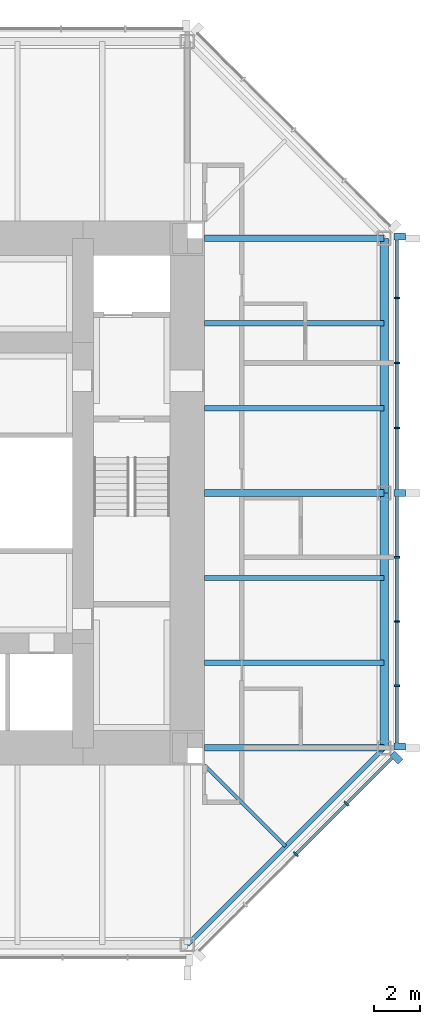
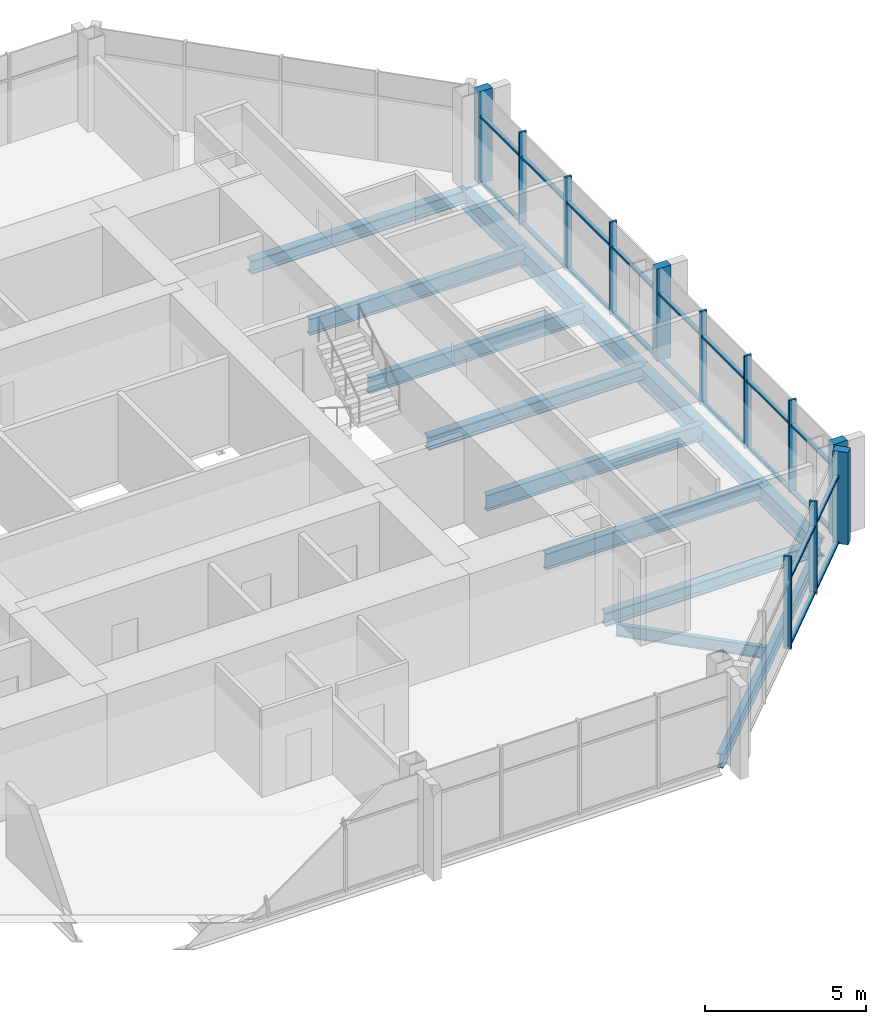
# One storey, part 4 of 11: 32 members, 11 beams, 2 elements without a shape of their own.
"""IFC4 building model written with IfcOpenShell, lengths in metres."""

from ifc_helpers import new_model, si_unit, direction, frame, origin, origin_2d, place, context, subcontext, project, spatial, rectangle, i_section, extrude, material, material_profile, profile_set, type_object, element, aggregate, save


model = new_model("IFC4")

# Units and contexts
model_context = context("Model", 3, precision=1e-05, world=origin(), true_north=direction((0.0, 1.0)))
body_context = subcontext(model_context, "Body", "Model", "MODEL_VIEW")
ifc_project = project(units=[si_unit("LENGTHUNIT", "METRE"), si_unit("AREAUNIT", "SQUARE_METRE"), si_unit("VOLUMEUNIT", "CUBIC_METRE"), si_unit("PLANEANGLEUNIT", "RADIAN"), si_unit("MASSUNIT", "GRAM", prefix="KILO")], contexts=[model_context])

# Site, building, storey
site_placement = place(None, origin())
site = spatial("IfcSite", under=ifc_project, at=site_placement, CompositionType="ELEMENT")
building_placement = place(site_placement, origin())
building = spatial("IfcBuilding", under=site, at=building_placement, Name="Trevanion Tower", CompositionType="ELEMENT")
storey_placement = place(building_placement, frame((0.0, 0.0, 239.699951171875)))
storey = spatial("IfcBuildingStorey", under=building, at=storey_placement, Name="L58", CompositionType="ELEMENT", Elevation=239.699951171875)

# Beams
ifc_material_1 = material(Name="Steel ASTM A992 Grade 50", Category="steel")
ifc_material_profile_1 = material_profile(ifc_material_1, i_section(OverallWidth=0.228271484375, OverallDepth=0.607177734375, WebThickness=0.01123046875, FlangeThickness=0.017333984375, at=origin_2d()), Name="W24X76")
ifc_profile_set_1 = profile_set([ifc_material_profile_1], Name="Steel ASTM A992 Grade 50")
beam_type_1 = type_object("IfcBeamType", Name="B11 W24X76", PredefinedType="BEAM", material=ifc_profile_set_1)
for number, where, z_axis, x_axis, name in (
    (1, (11.75, -7.333251953125, -0.493408203125), (1.0, 0.0, 0.0), (0.0, 1.0, 0.0), "B11 L58"),
    (2, (11.75, -3.666748046875, -0.493408203125), (1.0, 0.0, 0.0), (0.0, 1.0, 0.0), "B11 L58"),
    (3, (11.75, 3.666748046875, -0.493408203125), (1.0, 0.0, 0.0), (0.0, 1.0, 0.0), "B11 L58"),
    (4, (11.75, 7.333251953125, -0.493408203125), (1.0, 0.0, 0.0), (0.0, 1.0, 0.0), "B11 L58"),
):
    element("IfcBeam", number, at=place(storey_placement, frame(where, z_axis=z_axis, x_axis=x_axis)), inside=storey, type_object=beam_type_1, Name=name, PredefinedType="BEAM", context=body_context, shape_type="SweptSolid", body=[
        extrude(i_section(OverallWidth=0.228271484375, OverallDepth=0.607177734375, WebThickness=0.01123046875, FlangeThickness=0.017333984375, at=origin_2d()), origin(), (0.0, 0.0, 1.0), 7.75),
    ])
ifc_material_2 = material(Name="Steel ASTM A992 Grade 50", Category="steel")
ifc_material_profile_2 = material_profile(ifc_material_2, i_section(OverallWidth=0.15234375, OverallDepth=0.449462890625, WebThickness=0.007568359375, FlangeThickness=0.0107421875, at=origin_2d()), Name="W18X35")
ifc_profile_set_2 = profile_set([ifc_material_profile_2], Name="Steel ASTM A992 Grade 50")
beam_type_2 = type_object("IfcBeamType", Name="B12 W18X35", PredefinedType="BEAM", material=ifc_profile_set_2)
beam_1_placement = place(storey_placement, frame((11.75, -11.75, -0.414794921875), z_axis=(0.707106781187, -0.707106781187, 0.0), x_axis=(0.707106781187, 0.707106781187, 0.0)))
element("IfcBeam", 5, at=beam_1_placement, inside=storey, type_object=beam_type_2, Name="B12 L58", PredefinedType="BEAM", context=body_context, shape_type="SweptSolid", body=[
    extrude(i_section(OverallWidth=0.15234375, OverallDepth=0.449462890625, WebThickness=0.007568359375, FlangeThickness=0.0107421875, at=origin_2d()), origin(), (0.0, 0.0, 1.0), 4.94970703125),
])

# Curtain wall, members
ifc_material_3 = material(Name="Aluminium and glass", Category="aluminium")
curtain_wall_type = type_object("IfcCurtainWallType", Name="CW3 curtain wall", PredefinedType="USERDEFINED", material=ifc_material_3)
curtain_wall_1_placement = place(storey_placement, origin())
curtain_wall_1 = element("IfcCurtainWall", 6, at=curtain_wall_1_placement, inside=storey, type_object=curtain_wall_type, Name="CW3 L58 0", ObjectType="UNITISED CURTAIN WALL", PredefinedType="USERDEFINED")
ifc_material_4 = material(Name="Aluminium extrusion, anodised bronze", Category="aluminium")
ifc_material_profile_3 = material_profile(ifc_material_4, rectangle(XDim=0.074951171875, YDim=0.25, at=origin_2d()), Name="CW3 mullion")
ifc_profile_set_3 = profile_set([ifc_material_profile_3], Name="Aluminium extrusion, anodised bronze")
member_type_1 = type_object("IfcMemberType", Name="CW3 mullion", PredefinedType="MULLION", material=ifc_profile_set_3)
member_1_placement = place(storey_placement, frame((20.050048828125, -8.323486328125, -0.18994140625), z_axis=(0.0, 0.0, 1.0), x_axis=(0.0, 1.0, 0.0)))
member_1 = element("IfcMember", 7, at=member_1_placement, type_object=member_type_1, Name="CW3 mullion 2", PredefinedType="MULLION", context=body_context, shape_type="SweptSolid", body=[
    extrude(rectangle(XDim=0.074951171875, YDim=0.25, at=origin_2d()), origin(), (0.0, 0.0, 1.0), 3.5),
])
member_2_placement = place(storey_placement, frame((20.050048828125, -5.548828125, -0.18994140625), z_axis=(0.0, 0.0, 1.0), x_axis=(0.0, 1.0, 0.0)))
member_2 = element("IfcMember", 8, at=member_2_placement, type_object=member_type_1, Name="CW3 mullion 3", PredefinedType="MULLION", context=body_context, shape_type="SweptSolid", body=[
    extrude(rectangle(XDim=0.074951171875, YDim=0.25, at=origin_2d()), origin(), (0.0, 0.0, 1.0), 3.5),
])
member_3_placement = place(storey_placement, frame((20.050048828125, -2.7744140625, -0.18994140625), z_axis=(0.0, 0.0, 1.0), x_axis=(0.0, 1.0, 0.0)))
member_3 = element("IfcMember", 9, at=member_3_placement, type_object=member_type_1, Name="CW3 mullion 4", PredefinedType="MULLION", context=body_context, shape_type="SweptSolid", body=[
    extrude(rectangle(XDim=0.074951171875, YDim=0.25, at=origin_2d()), origin(), (0.0, 0.0, 1.0), 3.5),
])
member_4_placement = place(storey_placement, frame((20.050048828125, 2.806884765625, -0.18994140625), z_axis=(0.0, 0.0, 1.0), x_axis=(0.0, 1.0, 0.0)))
member_4 = element("IfcMember", 10, at=member_4_placement, type_object=member_type_1, Name="CW3 mullion 6", PredefinedType="MULLION", context=body_context, shape_type="SweptSolid", body=[
    extrude(rectangle(XDim=0.074951171875, YDim=0.25, at=origin_2d()), origin(), (0.0, 0.0, 1.0), 3.5),
])
member_5_placement = place(storey_placement, frame((20.050048828125, 5.614013671875, -0.18994140625), z_axis=(0.0, 0.0, 1.0), x_axis=(0.0, 1.0, 0.0)))
member_5 = element("IfcMember", 11, at=member_5_placement, type_object=member_type_1, Name="CW3 mullion 7", PredefinedType="MULLION", context=body_context, shape_type="SweptSolid", body=[
    extrude(rectangle(XDim=0.074951171875, YDim=0.25, at=origin_2d()), origin(), (0.0, 0.0, 1.0), 3.5),
])
member_6_placement = place(storey_placement, frame((20.050048828125, 8.4208984375, -0.18994140625), z_axis=(0.0, 0.0, 1.0), x_axis=(0.0, 1.0, 0.0)))
member_6 = element("IfcMember", 12, at=member_6_placement, type_object=member_type_1, Name="CW3 mullion 8", PredefinedType="MULLION", context=body_context, shape_type="SweptSolid", body=[
    extrude(rectangle(XDim=0.074951171875, YDim=0.25, at=origin_2d()), origin(), (0.0, 0.0, 1.0), 3.5),
])

curtain_wall_2_placement = place(storey_placement, origin())
curtain_wall_2 = element("IfcCurtainWall", 13, at=curtain_wall_2_placement, inside=storey, type_object=curtain_wall_type, Name="CW3 L58 7", ObjectType="UNITISED CURTAIN WALL", PredefinedType="USERDEFINED")
member_7_placement = place(storey_placement, frame((15.684814453125, -15.593017578125, -0.18994140625), z_axis=(0.0, 0.0, 1.0), x_axis=(0.707106781187, 0.707106781187, 0.0)))
member_7 = element("IfcMember", 14, at=member_7_placement, type_object=member_type_1, Name="CW3 mullion 3", PredefinedType="MULLION", context=body_context, shape_type="SweptSolid", body=[
    extrude(rectangle(XDim=0.074951171875, YDim=0.25, at=origin_2d()), origin(), (0.0, 0.0, 1.0), 3.5),
])
member_8_placement = place(storey_placement, frame((17.867431640625, -13.410400390625, -0.18994140625), z_axis=(0.0, 0.0, 1.0), x_axis=(0.707106781187, 0.707106781187, 0.0)))
member_8 = element("IfcMember", 15, at=member_8_placement, type_object=member_type_1, Name="CW3 mullion 4", PredefinedType="MULLION", context=body_context, shape_type="SweptSolid", body=[
    extrude(rectangle(XDim=0.074951171875, YDim=0.25, at=origin_2d()), origin(), (0.0, 0.0, 1.0), 3.5),
])

# Member
ifc_material_5 = material(Name="Aluminium extrusion, anodised bronze", Category="aluminium")
ifc_material_profile_4 = material_profile(ifc_material_5, rectangle(XDim=0.300048828125, YDim=0.5, at=origin_2d()), Name="CW3 pier mullion")
ifc_profile_set_4 = profile_set([ifc_material_profile_4], Name="Aluminium extrusion, anodised bronze")
member_type_2 = type_object("IfcMemberType", Name="CW3 pier mullion", PredefinedType="MULLION", material=ifc_profile_set_4)
member_9_placement = place(storey_placement, frame((20.175048828125, -10.94775390625, -0.18994140625), z_axis=(0.0, 0.0, 1.0), x_axis=(0.0, 1.0, 0.0)))
member_9 = element("IfcMember", 16, at=member_9_placement, type_object=member_type_2, Name="CW3 pier mullion 1", PredefinedType="MULLION", context=body_context, shape_type="SweptSolid", body=[
    extrude(rectangle(XDim=0.300048828125, YDim=0.5, at=origin_2d()), origin(), (0.0, 0.0, 1.0), 3.5),
])

member_10_placement = place(storey_placement, frame((20.175048828125, 0.0, -0.18994140625), z_axis=(0.0, 0.0, 1.0), x_axis=(0.0, 1.0, 0.0)))
member_10 = element("IfcMember", 17, at=member_10_placement, type_object=member_type_2, Name="CW3 pier mullion 5", PredefinedType="MULLION", context=body_context, shape_type="SweptSolid", body=[
    extrude(rectangle(XDim=0.300048828125, YDim=0.5, at=origin_2d()), origin(), (0.0, 0.0, 1.0), 3.5),
])

member_11_placement = place(storey_placement, frame((20.175048828125, 11.077880859375, -0.18994140625), z_axis=(0.0, 0.0, 1.0), x_axis=(0.0, 1.0, 0.0)))
member_11 = element("IfcMember", 18, at=member_11_placement, type_object=member_type_2, Name="CW3 pier mullion 9", PredefinedType="MULLION", context=body_context, shape_type="SweptSolid", body=[
    extrude(rectangle(XDim=0.300048828125, YDim=0.5, at=origin_2d()), origin(), (0.0, 0.0, 1.0), 3.5),
])

member_12_placement = place(storey_placement, frame((20.0322265625, -11.42236328125, -0.18994140625), z_axis=(0.0, 0.0, 1.0), x_axis=(0.707106781187, 0.707106781187, 0.0)))
member_12 = element("IfcMember", 19, at=member_12_placement, type_object=member_type_2, Name="CW3 pier mullion 5", PredefinedType="MULLION", context=body_context, shape_type="SweptSolid", body=[
    extrude(rectangle(XDim=0.300048828125, YDim=0.5, at=origin_2d()), origin(), (0.0, 0.0, 1.0), 3.5),
])

ifc_material_6 = material(Name="Aluminium extrusion, anodised bronze", Category="aluminium")
ifc_material_profile_5 = material_profile(ifc_material_6, rectangle(XDim=0.14990234375, YDim=0.074951171875, at=origin_2d()), Name="CW3 transom")
ifc_profile_set_5 = profile_set([ifc_material_profile_5], Name="Aluminium extrusion, anodised bronze")
member_type_3 = type_object("IfcMemberType", Name="CW3 transom", PredefinedType="USERDEFINED", material=ifc_profile_set_5)
member_13_placement = place(storey_placement, frame((20.050048828125, -10.7978515625, -0.15234375), z_axis=(0.0, 1.0, 0.0), x_axis=(-1.0, 0.0, 0.0)))
member_13 = element("IfcMember", 20, at=member_13_placement, type_object=member_type_3, Name="CW3 transom 1.1", ObjectType="TRANSOM", PredefinedType="USERDEFINED", context=body_context, shape_type="SweptSolid", body=[
    extrude(rectangle(XDim=0.14990234375, YDim=0.074951171875, at=origin_2d()), origin(), (0.0, 0.0, 1.0), 2.43701171875),
])

member_14_placement = place(storey_placement, frame((20.050048828125, -10.7978515625, 2.360107421875), z_axis=(0.0, 1.0, 0.0), x_axis=(-1.0, 0.0, 0.0)))
member_14 = element("IfcMember", 21, at=member_14_placement, type_object=member_type_3, Name="CW3 transom 1.2", ObjectType="TRANSOM", PredefinedType="USERDEFINED", context=body_context, shape_type="SweptSolid", body=[
    extrude(rectangle(XDim=0.14990234375, YDim=0.074951171875, at=origin_2d()), origin(), (0.0, 0.0, 1.0), 2.43701171875),
])

member_15_placement = place(storey_placement, frame((20.050048828125, -8.285888671875, -0.15234375), z_axis=(0.0, 1.0, 0.0), x_axis=(-1.0, 0.0, 0.0)))
member_15 = element("IfcMember", 22, at=member_15_placement, type_object=member_type_3, Name="CW3 transom 2.1", ObjectType="TRANSOM", PredefinedType="USERDEFINED", context=body_context, shape_type="SweptSolid", body=[
    extrude(rectangle(XDim=0.14990234375, YDim=0.074951171875, at=origin_2d()), origin(), (0.0, 0.0, 1.0), 2.699462890625),
])

member_16_placement = place(storey_placement, frame((20.050048828125, -8.285888671875, 2.360107421875), z_axis=(0.0, 1.0, 0.0), x_axis=(-1.0, 0.0, 0.0)))
member_16 = element("IfcMember", 23, at=member_16_placement, type_object=member_type_3, Name="CW3 transom 2.2", ObjectType="TRANSOM", PredefinedType="USERDEFINED", context=body_context, shape_type="SweptSolid", body=[
    extrude(rectangle(XDim=0.14990234375, YDim=0.074951171875, at=origin_2d()), origin(), (0.0, 0.0, 1.0), 2.699462890625),
])

member_17_placement = place(storey_placement, frame((20.050048828125, -5.511474609375, -0.15234375), z_axis=(0.0, 1.0, 0.0), x_axis=(-1.0, 0.0, 0.0)))
member_17 = element("IfcMember", 24, at=member_17_placement, type_object=member_type_3, Name="CW3 transom 3.1", ObjectType="TRANSOM", PredefinedType="USERDEFINED", context=body_context, shape_type="SweptSolid", body=[
    extrude(rectangle(XDim=0.14990234375, YDim=0.074951171875, at=origin_2d()), origin(), (0.0, 0.0, 1.0), 2.699462890625),
])

member_18_placement = place(storey_placement, frame((20.050048828125, -5.511474609375, 2.360107421875), z_axis=(0.0, 1.0, 0.0), x_axis=(-1.0, 0.0, 0.0)))
member_18 = element("IfcMember", 25, at=member_18_placement, type_object=member_type_3, Name="CW3 transom 3.2", ObjectType="TRANSOM", PredefinedType="USERDEFINED", context=body_context, shape_type="SweptSolid", body=[
    extrude(rectangle(XDim=0.14990234375, YDim=0.074951171875, at=origin_2d()), origin(), (0.0, 0.0, 1.0), 2.699462890625),
])

member_19_placement = place(storey_placement, frame((20.050048828125, -2.737060546875, -0.15234375), z_axis=(0.0, 1.0, 0.0), x_axis=(-1.0, 0.0, 0.0)))
member_19 = element("IfcMember", 26, at=member_19_placement, type_object=member_type_3, Name="CW3 transom 4.1", ObjectType="TRANSOM", PredefinedType="USERDEFINED", context=body_context, shape_type="SweptSolid", body=[
    extrude(rectangle(XDim=0.14990234375, YDim=0.074951171875, at=origin_2d()), origin(), (0.0, 0.0, 1.0), 2.587158203125),
])

member_20_placement = place(storey_placement, frame((20.050048828125, -2.737060546875, 2.360107421875), z_axis=(0.0, 1.0, 0.0), x_axis=(-1.0, 0.0, 0.0)))
member_20 = element("IfcMember", 27, at=member_20_placement, type_object=member_type_3, Name="CW3 transom 4.2", ObjectType="TRANSOM", PredefinedType="USERDEFINED", context=body_context, shape_type="SweptSolid", body=[
    extrude(rectangle(XDim=0.14990234375, YDim=0.074951171875, at=origin_2d()), origin(), (0.0, 0.0, 1.0), 2.587158203125),
])

member_21_placement = place(storey_placement, frame((20.050048828125, 0.14990234375, -0.15234375), z_axis=(0.0, 1.0, 0.0), x_axis=(-1.0, 0.0, 0.0)))
member_21 = element("IfcMember", 28, at=member_21_placement, type_object=member_type_3, Name="CW3 transom 5.1", ObjectType="TRANSOM", PredefinedType="USERDEFINED", context=body_context, shape_type="SweptSolid", body=[
    extrude(rectangle(XDim=0.14990234375, YDim=0.074951171875, at=origin_2d()), origin(), (0.0, 0.0, 1.0), 2.619384765625),
])

member_22_placement = place(storey_placement, frame((20.050048828125, 0.14990234375, 2.360107421875), z_axis=(0.0, 1.0, 0.0), x_axis=(-1.0, 0.0, 0.0)))
member_22 = element("IfcMember", 29, at=member_22_placement, type_object=member_type_3, Name="CW3 transom 5.2", ObjectType="TRANSOM", PredefinedType="USERDEFINED", context=body_context, shape_type="SweptSolid", body=[
    extrude(rectangle(XDim=0.14990234375, YDim=0.074951171875, at=origin_2d()), origin(), (0.0, 0.0, 1.0), 2.619384765625),
])

member_23_placement = place(storey_placement, frame((20.050048828125, 2.844482421875, -0.15234375), z_axis=(0.0, 1.0, 0.0), x_axis=(-1.0, 0.0, 0.0)))
member_23 = element("IfcMember", 30, at=member_23_placement, type_object=member_type_3, Name="CW3 transom 6.1", ObjectType="TRANSOM", PredefinedType="USERDEFINED", context=body_context, shape_type="SweptSolid", body=[
    extrude(rectangle(XDim=0.14990234375, YDim=0.074951171875, at=origin_2d()), origin(), (0.0, 0.0, 1.0), 2.73193359375),
])

member_24_placement = place(storey_placement, frame((20.050048828125, 2.844482421875, 2.360107421875), z_axis=(0.0, 1.0, 0.0), x_axis=(-1.0, 0.0, 0.0)))
member_24 = element("IfcMember", 31, at=member_24_placement, type_object=member_type_3, Name="CW3 transom 6.2", ObjectType="TRANSOM", PredefinedType="USERDEFINED", context=body_context, shape_type="SweptSolid", body=[
    extrude(rectangle(XDim=0.14990234375, YDim=0.074951171875, at=origin_2d()), origin(), (0.0, 0.0, 1.0), 2.73193359375),
])

member_25_placement = place(storey_placement, frame((20.050048828125, 5.6513671875, -0.15234375), z_axis=(0.0, 1.0, 0.0), x_axis=(-1.0, 0.0, 0.0)))
member_25 = element("IfcMember", 32, at=member_25_placement, type_object=member_type_3, Name="CW3 transom 7.1", ObjectType="TRANSOM", PredefinedType="USERDEFINED", context=body_context, shape_type="SweptSolid", body=[
    extrude(rectangle(XDim=0.14990234375, YDim=0.074951171875, at=origin_2d()), origin(), (0.0, 0.0, 1.0), 2.73193359375),
])

member_26_placement = place(storey_placement, frame((20.050048828125, 5.6513671875, 2.360107421875), z_axis=(0.0, 1.0, 0.0), x_axis=(-1.0, 0.0, 0.0)))
member_26 = element("IfcMember", 33, at=member_26_placement, type_object=member_type_3, Name="CW3 transom 7.2", ObjectType="TRANSOM", PredefinedType="USERDEFINED", context=body_context, shape_type="SweptSolid", body=[
    extrude(rectangle(XDim=0.14990234375, YDim=0.074951171875, at=origin_2d()), origin(), (0.0, 0.0, 1.0), 2.73193359375),
])

member_27_placement = place(storey_placement, frame((20.050048828125, 8.45849609375, -0.15234375), z_axis=(0.0, 1.0, 0.0), x_axis=(-1.0, 0.0, 0.0)))
member_27 = element("IfcMember", 34, at=member_27_placement, type_object=member_type_3, Name="CW3 transom 8.1", ObjectType="TRANSOM", PredefinedType="USERDEFINED", context=body_context, shape_type="SweptSolid", body=[
    extrude(rectangle(XDim=0.14990234375, YDim=0.074951171875, at=origin_2d()), origin(), (0.0, 0.0, 1.0), 2.46923828125),
])

member_28_placement = place(storey_placement, frame((20.050048828125, 8.45849609375, 2.360107421875), z_axis=(0.0, 1.0, 0.0), x_axis=(-1.0, 0.0, 0.0)))
member_28 = element("IfcMember", 35, at=member_28_placement, type_object=member_type_3, Name="CW3 transom 8.2", ObjectType="TRANSOM", PredefinedType="USERDEFINED", context=body_context, shape_type="SweptSolid", body=[
    extrude(rectangle(XDim=0.14990234375, YDim=0.074951171875, at=origin_2d()), origin(), (0.0, 0.0, 1.0), 2.46923828125),
])

aggregate(curtain_wall_1, [member_9, member_1, member_2, member_3, member_10, member_4, member_5, member_6, member_11, member_13, member_14, member_15, member_16, member_17, member_18, member_19, member_20, member_21, member_22, member_23, member_24, member_25, member_26, member_27, member_28])

member_29_placement = place(storey_placement, frame((15.71142578125, -15.56640625, -0.15234375), z_axis=(0.707106781187, 0.707106781187, 0.0), x_axis=(-0.707106781187, 0.707106781187, 0.0)))
member_29 = element("IfcMember", 36, at=member_29_placement, type_object=member_type_3, Name="CW3 transom 3.1", ObjectType="TRANSOM", PredefinedType="USERDEFINED", context=body_context, shape_type="SweptSolid", body=[
    extrude(rectangle(XDim=0.14990234375, YDim=0.074951171875, at=origin_2d()), origin(), (0.0, 0.0, 1.0), 3.011474609375),
])

member_30_placement = place(storey_placement, frame((15.71142578125, -15.56640625, 2.360107421875), z_axis=(0.707106781187, 0.707106781187, 0.0), x_axis=(-0.707106781187, 0.707106781187, 0.0)))
member_30 = element("IfcMember", 37, at=member_30_placement, type_object=member_type_3, Name="CW3 transom 3.2", ObjectType="TRANSOM", PredefinedType="USERDEFINED", context=body_context, shape_type="SweptSolid", body=[
    extrude(rectangle(XDim=0.14990234375, YDim=0.074951171875, at=origin_2d()), origin(), (0.0, 0.0, 1.0), 3.011474609375),
])

member_31_placement = place(storey_placement, frame((17.89404296875, -13.3837890625, -0.15234375), z_axis=(0.707106781187, 0.707106781187, 0.0), x_axis=(-0.707106781187, 0.707106781187, 0.0)))
member_31 = element("IfcMember", 38, at=member_31_placement, type_object=member_type_3, Name="CW3 transom 4.1", ObjectType="TRANSOM", PredefinedType="USERDEFINED", context=body_context, shape_type="SweptSolid", body=[
    extrude(rectangle(XDim=0.14990234375, YDim=0.074951171875, at=origin_2d()), origin(), (0.0, 0.0, 1.0), 2.7490234375),
])

member_32_placement = place(storey_placement, frame((17.89404296875, -13.3837890625, 2.360107421875), z_axis=(0.707106781187, 0.707106781187, 0.0), x_axis=(-0.707106781187, 0.707106781187, 0.0)))
member_32 = element("IfcMember", 39, at=member_32_placement, type_object=member_type_3, Name="CW3 transom 4.2", ObjectType="TRANSOM", PredefinedType="USERDEFINED", context=body_context, shape_type="SweptSolid", body=[
    extrude(rectangle(XDim=0.14990234375, YDim=0.074951171875, at=origin_2d()), origin(), (0.0, 0.0, 1.0), 2.7490234375),
])

aggregate(curtain_wall_2, [member_7, member_8, member_12, member_29, member_30, member_31, member_32])

# Beams
ifc_material_7 = material(Name="Steel ASTM A992 Grade 50", Category="steel")
ifc_material_profile_6 = material_profile(ifc_material_7, i_section(OverallWidth=0.28955078125, OverallDepth=0.508056640625, WebThickness=0.022705078125, FlangeThickness=0.040283203125, at=origin_2d()), Name="W18X175")
ifc_profile_set_6 = profile_set([ifc_material_profile_6], Name="Steel ASTM A992 Grade 50")
beam_type_3 = type_object("IfcBeamType", Name="G6 W18X175", PredefinedType="BEAM", material=ifc_profile_set_6)
for number, where, z_axis, x_axis, name in (
    (40, (11.75, -11.0, -0.44384765625), (1.0, 0.0, 0.0), (0.0, 1.0, 0.0), "G6 L58"),
    (41, (11.75, 0.0, -0.44384765625), (1.0, 0.0, 0.0), (0.0, 1.0, 0.0), "G6 L58"),
    (42, (11.75, 11.0, -0.44384765625), (1.0, 0.0, 0.0), (0.0, 1.0, 0.0), "G6 L58"),
):
    element("IfcBeam", number, at=place(storey_placement, frame(where, z_axis=z_axis, x_axis=x_axis)), inside=storey, type_object=beam_type_3, Name=name, PredefinedType="BEAM", context=body_context, shape_type="SweptSolid", body=[
        extrude(i_section(OverallWidth=0.28955078125, OverallDepth=0.508056640625, WebThickness=0.022705078125, FlangeThickness=0.040283203125, at=origin_2d()), origin(), (0.0, 0.0, 1.0), 7.75),
    ])
ifc_material_8 = material(Name="Steel ASTM A992 Grade 50", Category="steel")
ifc_material_profile_7 = material_profile(ifc_material_8, i_section(OverallWidth=0.355712890625, OverallDepth=0.696044921875, WebThickness=0.015380859375, FlangeThickness=0.024658203125, at=origin_2d()), Name="W27X146")
ifc_profile_set_7 = profile_set([ifc_material_profile_7], Name="Steel ASTM A992 Grade 50")
beam_type_4 = type_object("IfcBeamType", Name="SB8 W27X146", PredefinedType="SPANDREL", material=ifc_profile_set_7)
for number, where, z_axis, x_axis, name in (
    (43, (19.5, -11.0, -0.537841796875), (0.0, 1.0, 0.0), (-1.0, 0.0, 0.0), "SB8 L58"),
    (44, (19.5, 0.0, -0.537841796875), (0.0, 1.0, 0.0), (-1.0, 0.0, 0.0), "SB8 L58"),
):
    element("IfcBeam", number, at=place(storey_placement, frame(where, z_axis=z_axis, x_axis=x_axis)), inside=storey, type_object=beam_type_4, Name=name, PredefinedType="SPANDREL", context=body_context, shape_type="SweptSolid", body=[
        extrude(i_section(OverallWidth=0.355712890625, OverallDepth=0.696044921875, WebThickness=0.015380859375, FlangeThickness=0.024658203125, at=origin_2d()), origin(), (0.0, 0.0, 1.0), 11.0),
    ])
ifc_material_9 = material(Name="Steel ASTM A992 Grade 50", Category="steel")
ifc_material_profile_8 = material_profile(ifc_material_9, i_section(OverallWidth=0.209228515625, OverallDepth=0.533447265625, WebThickness=0.01025390625, FlangeThickness=0.015625, at=origin_2d()), Name="W21X62")
ifc_profile_set_8 = profile_set([ifc_material_profile_8], Name="Steel ASTM A992 Grade 50")
beam_type_5 = type_object("IfcBeamType", Name="SB9 W21X62", PredefinedType="SPANDREL", material=ifc_profile_set_8)
beam_2_placement = place(storey_placement, frame((11.0, -19.5, -0.45654296875), z_axis=(0.707106781187, 0.707106781187, 0.0), x_axis=(-0.707106781187, 0.707106781187, 0.0)))
element("IfcBeam", 45, at=beam_2_placement, inside=storey, type_object=beam_type_5, Name="SB9 L58", PredefinedType="SPANDREL", context=body_context, shape_type="SweptSolid", body=[
    extrude(i_section(OverallWidth=0.209228515625, OverallDepth=0.533447265625, WebThickness=0.01025390625, FlangeThickness=0.015625, at=origin_2d()), origin(), (0.0, 0.0, 1.0), 12.020751953125),
])

save(model, "model.ifc")
